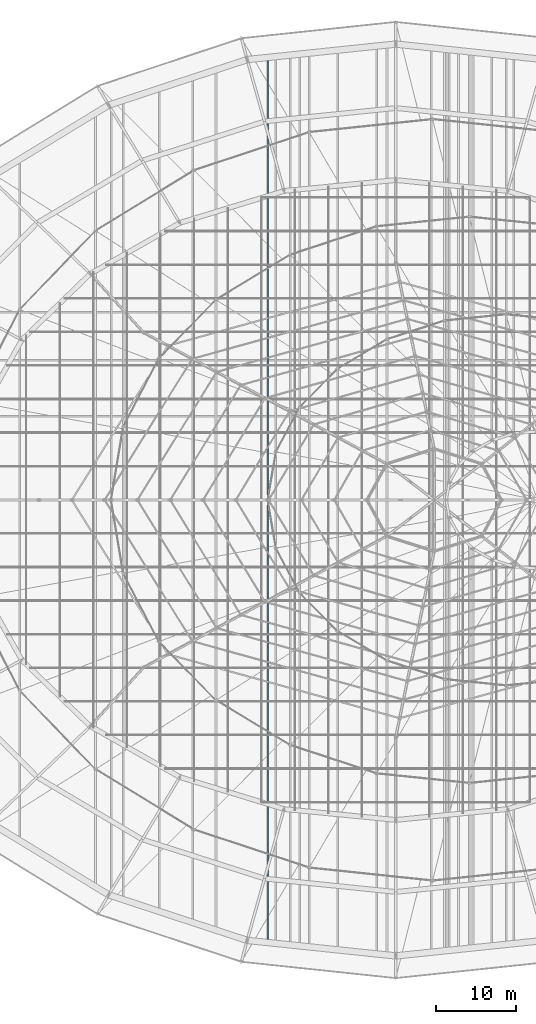
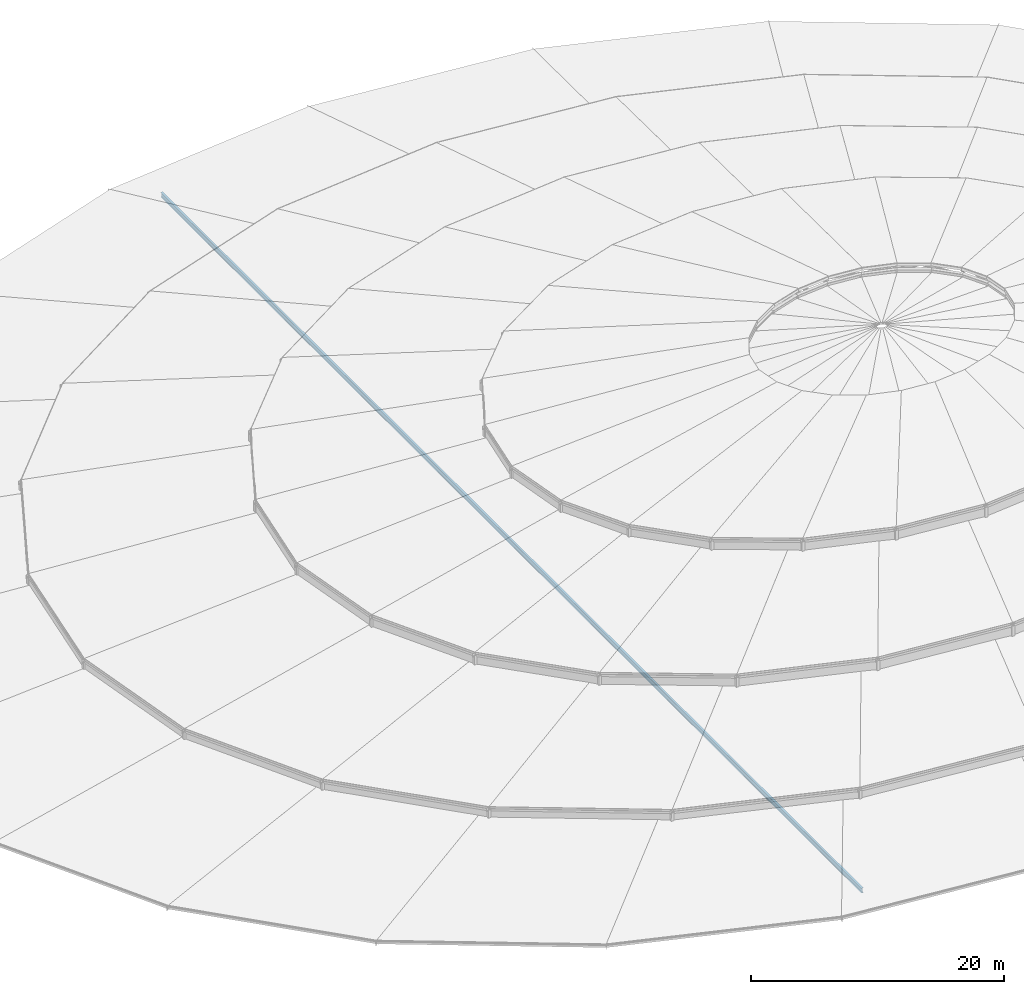
# One storey, part 28 of 184: 1 member.
"""IFC4 building model written with IfcOpenShell, lengths in metres."""

from ifc_helpers import new_model, si_unit, direction, frame, origin, origin_2d, place, context, subcontext, project, spatial, i_section, extrude, material, material_profile, profile_set, type_object, element, save


model = new_model("IFC4")

# Units and contexts
model_context = context("Model", 3, precision=1e-05, world=origin(), true_north=direction((0.0, 1.0)))
body_context = subcontext(model_context, "Body", "Model", "MODEL_VIEW")
ifc_project = project(units=[si_unit("LENGTHUNIT", "METRE"), si_unit("AREAUNIT", "SQUARE_METRE"), si_unit("VOLUMEUNIT", "CUBIC_METRE"), si_unit("PLANEANGLEUNIT", "RADIAN"), si_unit("MASSUNIT", "GRAM", prefix="KILO")], contexts=[model_context])

# Site, building, storey
site_placement = place(None, origin())
site = spatial("IfcSite", under=ifc_project, at=site_placement, CompositionType="ELEMENT")
building_placement = place(site_placement, origin())
building = spatial("IfcBuilding", under=site, at=building_placement, Name="Kalgoora Escarpment Arena", CompositionType="ELEMENT")
storey_placement = place(building_placement, frame((0.0, 0.0, 27.60009765625)))
storey = spatial("IfcBuildingStorey", under=building, at=storey_placement, Name="Roof Level", CompositionType="ELEMENT", Elevation=27.60009765625)

# Member
ifc_material = material(Name="Structural steel AS/NZS 3679 (300 MPa)", Category="steel")
ifc_material_profile = material_profile(ifc_material, i_section(OverallWidth=0.19091796875, OverallDepth=0.4599609375, WebThickness=0.010009765625, FlangeThickness=0.01611328125, at=origin_2d()))
ifc_profile_set = profile_set([ifc_material_profile], Name="Structural steel AS/NZS 3679 (300 MPa)")
member_type = type_object("IfcMemberType", Name="MEM-CARRIER-CHORD", PredefinedType="CHORD", material=ifc_profile_set)
member_placement = place(storey_placement, frame((76.39990234375, 8.672119140625, -0.960205078125), z_axis=(0.0, 1.0, 0.0), x_axis=(-1.0, 0.0, 0.0)))
element("IfcMember", 1, at=member_placement, inside=storey, type_object=member_type, Name="Petal RP4 spanning carrier chord C13", PredefinedType="CHORD", context=body_context, shape_type="SweptSolid", body=[
    extrude(i_section(OverallWidth=0.19091796875, OverallDepth=0.4599609375, WebThickness=0.010009765625, FlangeThickness=0.01611328125, at=origin_2d()), origin(), (0.0, 0.0, 1.0), 110.65576171875),
])

save(model, "model.ifc")
